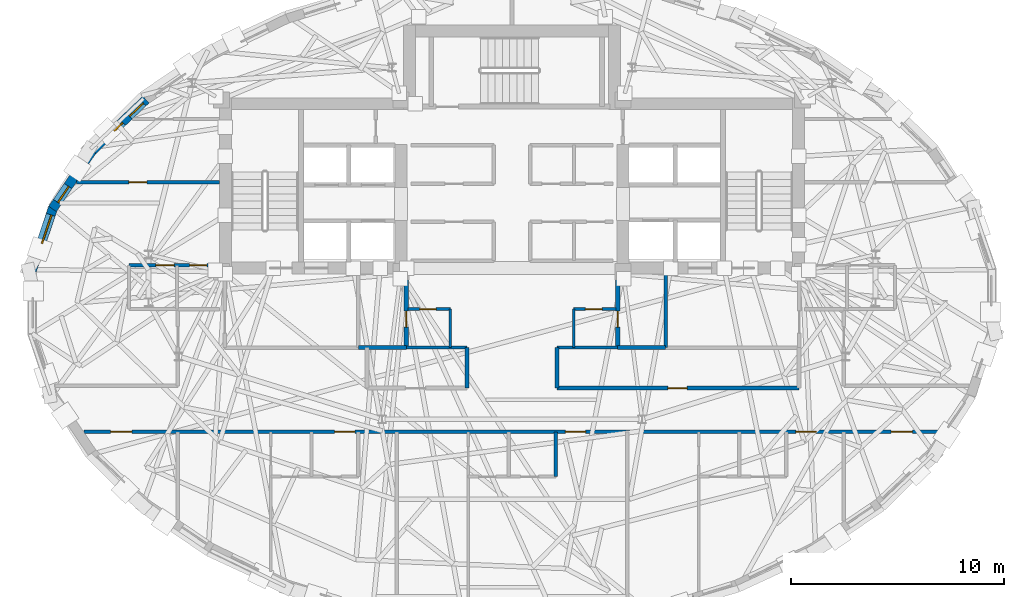
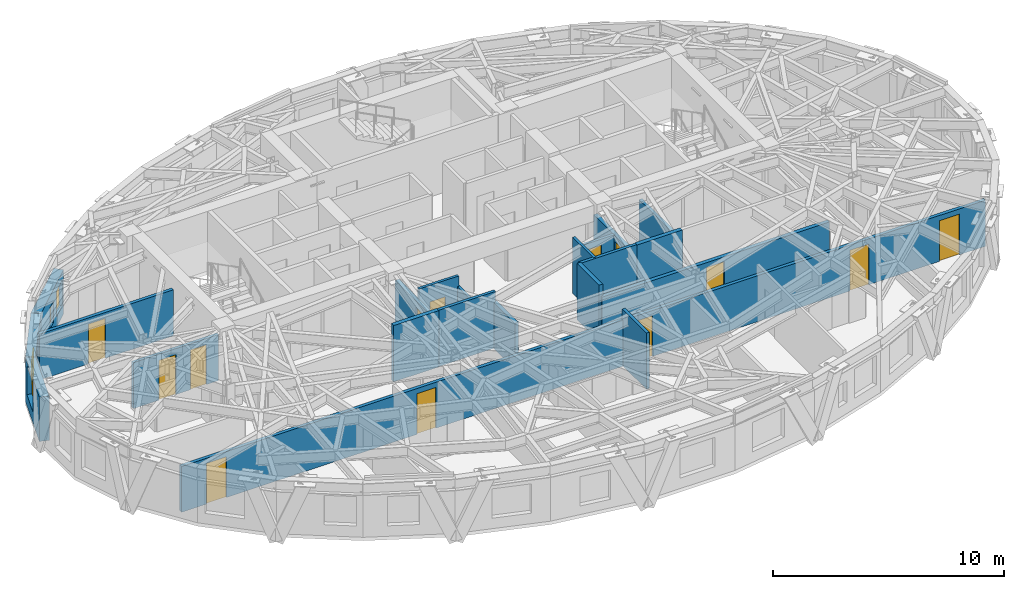
# One storey, part 7 of 14: 21 walls, 13 doors, 4 windows, 17 openings.
"""IFC4 building model written with IfcOpenShell, lengths in metres."""

from ifc_helpers import new_model, si_unit, direction, frame, frame_2d, origin, place, context, subcontext, project, spatial, rectangle, extrude, material, layer, layer_set, type_object, element, fill, save


model = new_model("IFC4")

# Units and contexts
model_context = context("Model", 3, precision=1e-05, world=origin(), true_north=direction((0.0, 1.0)))
body_context = subcontext(model_context, "Body", "Model", "MODEL_VIEW")
ifc_project = project(units=[si_unit("LENGTHUNIT", "METRE"), si_unit("AREAUNIT", "SQUARE_METRE"), si_unit("VOLUMEUNIT", "CUBIC_METRE"), si_unit("PLANEANGLEUNIT", "RADIAN"), si_unit("MASSUNIT", "GRAM", prefix="KILO")], contexts=[model_context])

# Site, building, storey
site_placement = place(None, origin())
site = spatial("IfcSite", under=ifc_project, at=site_placement, CompositionType="ELEMENT")
building_placement = place(site_placement, origin())
building = spatial("IfcBuilding", under=site, at=building_placement, Name="Keldmark Tower", CompositionType="ELEMENT")
storey_placement = place(building_placement, frame((0.0, 0.0, 225.75)))
storey = spatial("IfcBuildingStorey", under=building, at=storey_placement, Name="L63", CompositionType="ELEMENT", Elevation=225.75)

# Wall
ifc_material_1 = material(Name="Heavy Acoustic Plumbing Chase Gypsum Assembly", Category="gypsum")
ifc_layer_1 = layer(ifc_material_1, 0.18994140625)
ifc_layer_set_1 = layer_set([ifc_layer_1], Name="Heavy Acoustic Plumbing Chase Gypsum Assembly")
wall_type_1 = type_object("IfcWallType", Name="Heavy Wet Wall 190 mm", PredefinedType="PLUMBINGWALL", material=ifc_layer_set_1)
wall_1_placement = place(storey_placement, frame((-2.10009765625, -4.050048828125, 0.0), z_axis=(0.0, 0.0, 1.0), x_axis=(0.0, 1.0, 0.0)))
element("IfcWall", 1, at=wall_1_placement, inside=storey, type_object=wall_type_1, Name="L63 Heavy Wet Wall 190 mm SPK-W-E", PredefinedType="PLUMBINGWALL", context=body_context, shape_type="SweptSolid", body=[
    extrude(rectangle(XDim=1.900146484375, YDim=0.18994140625, at=frame_2d((0.9501953125, 0.0))), origin(), (0.0, 0.0, 1.0), 2.423095703125),
])

# Wall, opening, door
wall_2_placement = place(storey_placement, frame((2.10009765625, -4.050048828125, 0.0), z_axis=(0.0, 0.0, 1.0), x_axis=(1.0, 0.0, 0.0)))
wall_2 = element("IfcWall", 2, at=wall_2_placement, inside=storey, type_object=wall_type_1, Name="L63 Heavy Wet Wall 190 mm SPK-E-S", PredefinedType="PLUMBINGWALL", context=body_context, shape_type="SweptSolid", body=[
    extrude(rectangle(XDim=11.349853515625, YDim=0.18994140625, at=frame_2d((5.6748046875, 0.0))), origin(), (0.0, 0.0, 1.0), 2.35693359375),
])
opening_1_placement = place(wall_2_placement, frame((5.199951171875, 0.0, 0.0)))
opening_1 = element("IfcOpeningElement", 3, at=opening_1_placement, cuts=wall_2, Name="Opening D-IN090", PredefinedType="OPENING", context=body_context, shape_type="SweptSolid", body=[
    extrude(rectangle(XDim=0.89990234375, YDim=2.10009765625, at=frame_2d((0.449951171875, 1.050048828125))), frame((0.0, 0.10498046875, 0.0), z_axis=(0.0, -1.0, 0.0), x_axis=(1.0, 0.0, 0.0)), (0.0, 0.0, 1.0), 0.2099609375),
])
ifc_material_2 = material(Name="Stained American White Oak Veneer", Category="wood")
door_type_1 = type_object("IfcDoorType", Name="Interior Door 900x2100", OperationType="NOTDEFINED", PredefinedType="DOOR", material=ifc_material_2)
door_1_placement = place(opening_1_placement, origin())
door_1 = element("IfcDoor", 4, at=door_1_placement, inside=storey, type_object=door_type_1, Name="L63 Interior Door 900x2100 D-SPKE1-L63", OperationType="SINGLE_SWING_RIGHT", OverallHeight=2.10009765625, OverallWidth=0.89990234375, PredefinedType="DOOR", context=body_context, shape_type="SweptSolid", body=[
    extrude(rectangle(XDim=0.89990234375, YDim=2.10009765625, at=frame_2d((0.449951171875, 1.050048828125))), frame((0.0, 0.02490234375, 0.0), z_axis=(0.0, -1.0, 0.0), x_axis=(1.0, 0.0, 0.0)), (0.0, 0.0, 1.0), 0.050048828125),
])
fill(opening_1, door_1)

# Wall
wall_3_placement = place(storey_placement, frame((2.10009765625, -4.050048828125, 0.0), z_axis=(0.0, 0.0, 1.0), x_axis=(0.0, 1.0, 0.0)))
element("IfcWall", 5, at=wall_3_placement, inside=storey, type_object=wall_type_1, Name="L63 Heavy Wet Wall 190 mm SPK-E-W", PredefinedType="PLUMBINGWALL", context=body_context, shape_type="SweptSolid", body=[
    extrude(rectangle(XDim=1.900146484375, YDim=0.18994140625, at=frame_2d((0.9501953125, 0.0))), origin(), (0.0, 0.0, 1.0), 2.969970703125),
])

# Wall, opening, door
ifc_material_3 = material(Name="Acoustic Gypsum Board Interior Partition", Category="gypsum")
ifc_layer_2 = layer(ifc_material_3, 0.1298828125)
ifc_layer_set_2 = layer_set([ifc_layer_2], Name="Acoustic Gypsum Board Interior Partition")
wall_type_2 = type_object("IfcWallType", Name="Interior Partition 130 mm", PredefinedType="PARTITIONING", material=ifc_layer_set_2)
wall_4_placement = place(storey_placement, frame((-4.8798828125, -0.35009765625, 0.0), z_axis=(0.0, 0.0, 1.0), x_axis=(1.0, 0.0, 0.0)))
wall_4 = element("IfcWall", 6, at=wall_4_placement, inside=storey, type_object=wall_type_2, Name="L63 Interior Partition 130 mm CSC-W-N", PredefinedType="PARTITIONING", context=body_context, shape_type="SweptSolid", body=[
    extrude(rectangle(XDim=1.989990234375, YDim=0.1298828125, at=frame_2d((0.9951171875, 0.0))), origin(), (0.0, 0.0, 1.0), 2.969970703125),
])
opening_2_placement = place(wall_4_placement, frame((0.550048828125, 0.0, 0.0)))
opening_2 = element("IfcOpeningElement", 7, at=opening_2_placement, cuts=wall_4, Name="Opening D-CL078", PredefinedType="OPENING", context=body_context, shape_type="SweptSolid", body=[
    extrude(rectangle(XDim=0.780029296875, YDim=2.10009765625, at=frame_2d((0.39013671875, 1.050048828125))), frame((0.0, 0.074951171875, 0.0), z_axis=(0.0, -1.0, 0.0), x_axis=(1.0, 0.0, 0.0)), (0.0, 0.0, 1.0), 0.14990234375),
])
ifc_material_4 = material(Name="Flush Utility Closet Timber Door", Category="wood")
door_type_2 = type_object("IfcDoorType", Name="Closet Door 780x2100", OperationType="NOTDEFINED", PredefinedType="DOOR", material=ifc_material_4)
door_2_placement = place(opening_2_placement, origin())
door_2 = element("IfcDoor", 8, at=door_2_placement, inside=storey, type_object=door_type_2, Name="L63 Closet Door 780x2100 D-CSCW1-L63", OperationType="SINGLE_SWING_LEFT", OverallHeight=2.10009765625, OverallWidth=0.780029296875, PredefinedType="DOOR", context=body_context, shape_type="SweptSolid", body=[
    extrude(rectangle(XDim=0.780029296875, YDim=2.10009765625, at=frame_2d((0.39013671875, 1.050048828125))), frame((0.0, 0.02490234375, 0.0), z_axis=(0.0, -1.0, 0.0), x_axis=(1.0, 0.0, 0.0)), (0.0, 0.0, 1.0), 0.050048828125),
])
fill(opening_2, door_2)

# Wall
wall_5_placement = place(storey_placement, frame((-2.889892578125, -2.14990234375, 0.0), z_axis=(0.0, 0.0, 1.0), x_axis=(0.0, 1.0, 0.0)))
element("IfcWall", 9, at=wall_5_placement, inside=storey, type_object=wall_type_2, Name="L63 Interior Partition 130 mm CSC-W-E", PredefinedType="PARTITIONING", context=body_context, shape_type="SweptSolid", body=[
    extrude(rectangle(XDim=1.7998046875, YDim=0.1298828125, at=frame_2d((0.89990234375, 0.0))), origin(), (0.0, 0.0, 1.0), 2.423095703125),
])

# Wall, opening, door
wall_6_placement = place(storey_placement, frame((2.889892578125, -0.35009765625, 0.0), z_axis=(0.0, 0.0, 1.0), x_axis=(1.0, 0.0, 0.0)))
wall_6 = element("IfcWall", 10, at=wall_6_placement, inside=storey, type_object=wall_type_2, Name="L63 Interior Partition 130 mm CSC-E-N", PredefinedType="PARTITIONING", context=body_context, shape_type="SweptSolid", body=[
    extrude(rectangle(XDim=1.989990234375, YDim=0.1298828125, at=frame_2d((0.9951171875, 0.0))), origin(), (0.0, 0.0, 1.0), 2.423095703125),
])
opening_3_placement = place(wall_6_placement, frame((0.550048828125, 0.0, 0.0)))
opening_3 = element("IfcOpeningElement", 11, at=opening_3_placement, cuts=wall_6, Name="Opening D-CL078", PredefinedType="OPENING", context=body_context, shape_type="SweptSolid", body=[
    extrude(rectangle(XDim=0.780029296875, YDim=2.10009765625, at=frame_2d((0.39013671875, 1.050048828125))), frame((0.0, 0.074951171875, 0.0), z_axis=(0.0, -1.0, 0.0), x_axis=(1.0, 0.0, 0.0)), (0.0, 0.0, 1.0), 0.14990234375),
])
door_3_placement = place(opening_3_placement, origin())
door_3 = element("IfcDoor", 12, at=door_3_placement, inside=storey, type_object=door_type_2, Name="L63 Closet Door 780x2100 D-CSCE1-L63", OperationType="SINGLE_SWING_RIGHT", OverallHeight=2.10009765625, OverallWidth=0.780029296875, PredefinedType="DOOR", context=body_context, shape_type="SweptSolid", body=[
    extrude(rectangle(XDim=0.780029296875, YDim=2.10009765625, at=frame_2d((0.39013671875, 1.050048828125))), frame((0.0, 0.02490234375, 0.0), z_axis=(0.0, -1.0, 0.0), x_axis=(1.0, 0.0, 0.0)), (0.0, 0.0, 1.0), 0.050048828125),
])
fill(opening_3, door_3)

# Walls
wall_7_placement = place(storey_placement, frame((2.889892578125, -2.14990234375, 0.0), z_axis=(0.0, 0.0, 1.0), x_axis=(0.0, 1.0, 0.0)))
element("IfcWall", 13, at=wall_7_placement, inside=storey, type_object=wall_type_2, Name="L63 Interior Partition 130 mm CSC-E-W", PredefinedType="PARTITIONING", context=body_context, shape_type="SweptSolid", body=[
    extrude(rectangle(XDim=1.7998046875, YDim=0.1298828125, at=frame_2d((0.89990234375, 0.0))), origin(), (0.0, 0.0, 1.0), 2.969970703125),
])
ifc_material_5 = material(Name="Type X Fire-Rated Gypsum Partition Assembly", Category="gypsum")
ifc_layer_3 = layer(ifc_material_5, 0.1650390625)
ifc_layer_set_3 = layer_set([ifc_layer_3], Name="Type X Fire-Rated Gypsum Partition Assembly")
wall_type_3 = type_object("IfcWallType", Name="Rated Partition 165 mm", PredefinedType="PARTITIONING", material=ifc_layer_set_3)
wall_8_placement = place(storey_placement, frame((7.199951171875, -2.14990234375, 0.0), z_axis=(0.0, 0.0, 1.0), x_axis=(0.0, 1.0, 0.0)))
element("IfcWall", 14, at=wall_8_placement, inside=storey, type_object=wall_type_3, Name="L63 Rated Partition 165 mm FSAE-E-W", PredefinedType="PARTITIONING", context=body_context, shape_type="SweptSolid", body=[
    extrude(rectangle(XDim=3.5, YDim=0.1650390625, at=frame_2d((1.75, 0.0))), origin(), (0.0, 0.0, 1.0), 2.423095703125),
])

# Wall, openings, doors
wall_9_placement = place(storey_placement, frame((-20.05908203125, -6.10009765625, 0.0), z_axis=(0.0, 0.0, 1.0), x_axis=(1.0, 0.0, 0.0)))
wall_9 = element("IfcWall", 15, at=wall_9_placement, inside=storey, type_object=wall_type_3, Name="L63 Rated Partition 165 mm RCOR-S", PredefinedType="PARTITIONING", context=body_context, shape_type="SweptSolid", body=[
    extrude(rectangle(XDim=40.1181640625, YDim=0.1650390625, at=frame_2d((20.05908203125, 0.0))), origin(), (0.0, 0.0, 1.0), 2.423095703125),
])
opening_4_placement = place(wall_9_placement, frame((1.251708984375, 0.0, 0.0)))
opening_4 = element("IfcOpeningElement", 16, at=opening_4_placement, cuts=wall_9, Name="Opening D-FD100", PredefinedType="OPENING", context=body_context, shape_type="SweptSolid", body=[
    extrude(rectangle(XDim=1.0, YDim=2.14990234375, at=frame_2d((0.5, 1.074951171875))), frame((0.0, 0.092529296875, 0.0), z_axis=(0.0, -1.0, 0.0), x_axis=(1.0, 0.0, 0.0)), (0.0, 0.0, 1.0), 0.18505859375),
])
opening_5_placement = place(wall_9_placement, frame((37.816650390625, 0.0, 0.0)))
opening_5 = element("IfcOpeningElement", 17, at=opening_5_placement, cuts=wall_9, Name="Opening D-FD100", PredefinedType="OPENING", context=body_context, shape_type="SweptSolid", body=[
    extrude(rectangle(XDim=1.0, YDim=2.14990234375, at=frame_2d((0.5, 1.074951171875))), frame((0.0, 0.092529296875, 0.0), z_axis=(0.0, -1.0, 0.0), x_axis=(1.0, 0.0, 0.0)), (0.0, 0.0, 1.0), 0.18505859375),
])
opening_6_placement = place(wall_9_placement, frame((11.74951171875, 0.0, 0.0)))
opening_6 = element("IfcOpeningElement", 18, at=opening_6_placement, cuts=wall_9, Name="Opening D-AP095", PredefinedType="OPENING", context=body_context, shape_type="SweptSolid", body=[
    extrude(rectangle(XDim=0.949951171875, YDim=2.14990234375, at=frame_2d((0.47509765625, 1.074951171875))), frame((0.0, 0.092529296875, 0.0), z_axis=(0.0, -1.0, 0.0), x_axis=(1.0, 0.0, 0.0)), (0.0, 0.0, 1.0), 0.18505859375),
])
opening_7_placement = place(wall_9_placement, frame((22.5595703125, 0.0, 0.0)))
opening_7 = element("IfcOpeningElement", 19, at=opening_7_placement, cuts=wall_9, Name="Opening D-AP095", PredefinedType="OPENING", context=body_context, shape_type="SweptSolid", body=[
    extrude(rectangle(XDim=0.949951171875, YDim=2.14990234375, at=frame_2d((0.47509765625, 1.074951171875))), frame((0.0, 0.092529296875, 0.0), z_axis=(0.0, -1.0, 0.0), x_axis=(1.0, 0.0, 0.0)), (0.0, 0.0, 1.0), 0.18505859375),
])
opening_8_placement = place(wall_9_placement, frame((33.359619140625, 0.0, 0.0)))
opening_8 = element("IfcOpeningElement", 20, at=opening_8_placement, cuts=wall_9, Name="Opening D-AP095", PredefinedType="OPENING", context=body_context, shape_type="SweptSolid", body=[
    extrude(rectangle(XDim=0.949951171875, YDim=2.14990234375, at=frame_2d((0.47509765625, 1.074951171875))), frame((0.0, 0.092529296875, 0.0), z_axis=(0.0, -1.0, 0.0), x_axis=(1.0, 0.0, 0.0)), (0.0, 0.0, 1.0), 0.18505859375),
])
ifc_material_6 = material(Name="Solid-Core Walnut Fire-Rated Entry Assembly", Category="wood")
door_type_3 = type_object("IfcDoorType", Name="Apartment Entry Door 950x2150", OperationType="NOTDEFINED", PredefinedType="DOOR", material=ifc_material_6)
door_4_placement = place(opening_6_placement, origin())
door_4 = element("IfcDoor", 21, at=door_4_placement, inside=storey, type_object=door_type_3, Name="L63 Apartment Entry Door 950x2150 D-UA-ENT-L63", OperationType="SINGLE_SWING_LEFT", OverallHeight=2.14990234375, OverallWidth=0.949951171875, PredefinedType="DOOR", context=body_context, shape_type="SweptSolid", body=[
    extrude(rectangle(XDim=0.949951171875, YDim=2.14990234375, at=frame_2d((0.47509765625, 1.074951171875))), frame((0.0, 0.02490234375, 0.0), z_axis=(0.0, -1.0, 0.0), x_axis=(1.0, 0.0, 0.0)), (0.0, 0.0, 1.0), 0.050048828125),
])
fill(opening_6, door_4)
door_5_placement = place(opening_7_placement, origin())
door_5 = element("IfcDoor", 22, at=door_5_placement, inside=storey, type_object=door_type_3, Name="L63 Apartment Entry Door 950x2150 D-UB-ENT-L63", OperationType="SINGLE_SWING_LEFT", OverallHeight=2.14990234375, OverallWidth=0.949951171875, PredefinedType="DOOR", context=body_context, shape_type="SweptSolid", body=[
    extrude(rectangle(XDim=0.949951171875, YDim=2.14990234375, at=frame_2d((0.47509765625, 1.074951171875))), frame((0.0, 0.02490234375, 0.0), z_axis=(0.0, -1.0, 0.0), x_axis=(1.0, 0.0, 0.0)), (0.0, 0.0, 1.0), 0.050048828125),
])
fill(opening_7, door_5)
door_6_placement = place(opening_8_placement, origin())
door_6 = element("IfcDoor", 23, at=door_6_placement, inside=storey, type_object=door_type_3, Name="L63 Apartment Entry Door 950x2150 D-UC-ENT-L63", OperationType="SINGLE_SWING_LEFT", OverallHeight=2.14990234375, OverallWidth=0.949951171875, PredefinedType="DOOR", context=body_context, shape_type="SweptSolid", body=[
    extrude(rectangle(XDim=0.949951171875, YDim=2.14990234375, at=frame_2d((0.47509765625, 1.074951171875))), frame((0.0, 0.02490234375, 0.0), z_axis=(0.0, -1.0, 0.0), x_axis=(1.0, 0.0, 0.0)), (0.0, 0.0, 1.0), 0.050048828125),
])
fill(opening_8, door_6)
ifc_material_7 = material(Name="Hollow Metal Fire-Rated Corridor Door", Category="metal")
door_type_4 = type_object("IfcDoorType", Name="Fire Door 1000x2150", OperationType="NOTDEFINED", PredefinedType="DOOR", material=ifc_material_7)
door_7_placement = place(opening_4_placement, origin())
door_7 = element("IfcDoor", 24, at=door_7_placement, inside=storey, type_object=door_type_4, Name="L63 Fire Door 1000x2150 D-RSCW-L63", OperationType="SINGLE_SWING_LEFT", OverallHeight=2.14990234375, OverallWidth=1.0, PredefinedType="DOOR", context=body_context, shape_type="SweptSolid", body=[
    extrude(rectangle(XDim=1.0, YDim=2.14990234375, at=frame_2d((0.5, 1.074951171875))), frame((0.0, 0.02490234375, 0.0), z_axis=(0.0, -1.0, 0.0), x_axis=(1.0, 0.0, 0.0)), (0.0, 0.0, 1.0), 0.050048828125),
])
fill(opening_4, door_7)
door_8_placement = place(opening_5_placement, origin())
door_8 = element("IfcDoor", 25, at=door_8_placement, inside=storey, type_object=door_type_4, Name="L63 Fire Door 1000x2150 D-RSCE-L63", OperationType="SINGLE_SWING_RIGHT", OverallHeight=2.14990234375, OverallWidth=1.0, PredefinedType="DOOR", context=body_context, shape_type="SweptSolid", body=[
    extrude(rectangle(XDim=1.0, YDim=2.14990234375, at=frame_2d((0.5, 1.074951171875))), frame((0.0, 0.02490234375, 0.0), z_axis=(0.0, -1.0, 0.0), x_axis=(1.0, 0.0, 0.0)), (0.0, 0.0, 1.0), 0.050048828125),
])
fill(opening_5, door_8)

# Wall, opening, door
wall_10_placement = place(storey_placement, frame((-20.398193359375, 5.60009765625, 0.0), z_axis=(0.0, 0.0, 1.0), x_axis=(1.0, 0.0, 0.0)))
wall_10 = element("IfcWall", 26, at=wall_10_placement, inside=storey, type_object=wall_type_3, Name="L63 Rated Partition 165 mm RW-NDIV", PredefinedType="PARTITIONING", context=body_context, shape_type="SweptSolid", body=[
    extrude(rectangle(XDim=6.6982421875, YDim=0.1650390625, at=frame_2d((3.34912109375, 0.0))), origin(), (0.0, 0.0, 1.0), 2.423095703125),
])
opening_9_placement = place(wall_10_placement, frame((2.446533203125, 0.0, 0.0)))
opening_9 = element("IfcOpeningElement", 27, at=opening_9_placement, cuts=wall_10, Name="Opening D-BR085", PredefinedType="OPENING", context=body_context, shape_type="SweptSolid", body=[
    extrude(rectangle(XDim=0.85009765625, YDim=2.10009765625, at=frame_2d((0.425048828125, 1.050048828125))), frame((0.0, 0.092529296875, 0.0), z_axis=(0.0, -1.0, 0.0), x_axis=(1.0, 0.0, 0.0)), (0.0, 0.0, 1.0), 0.18505859375),
])
ifc_material_8 = material(Name="Solid-Core Stained Walnut Wood", Category="wood")
door_type_5 = type_object("IfcDoorType", Name="Bedroom Door 850x2100", OperationType="NOTDEFINED", PredefinedType="DOOR", material=ifc_material_8)
door_9_placement = place(opening_9_placement, origin())
door_9 = element("IfcDoor", 28, at=door_9_placement, inside=storey, type_object=door_type_5, Name="L63 Bedroom Door 850x2100 D-UD-BR1-L63", OperationType="SINGLE_SWING_LEFT", OverallHeight=2.10009765625, OverallWidth=0.85009765625, PredefinedType="DOOR", context=body_context, shape_type="SweptSolid", body=[
    extrude(rectangle(XDim=0.85009765625, YDim=2.10009765625, at=frame_2d((0.425048828125, 1.050048828125))), frame((0.0, 0.02490234375, 0.0), z_axis=(0.0, -1.0, 0.0), x_axis=(1.0, 0.0, 0.0)), (0.0, 0.0, 1.0), 0.050048828125),
])
fill(opening_9, door_9)

# Wall
ifc_material_9 = material(Name="Fire-Resistant Type X Gypsum Shaftliner Coreboard", Category="gypsum")
ifc_layer_4 = layer(ifc_material_9, 0.199951171875)
ifc_layer_set_4 = layer_set([ifc_layer_4], Name="Fire-Resistant Type X Gypsum Shaftliner Coreboard")
wall_type_4 = type_object("IfcWallType", Name="Shaft Wall 200 mm", PredefinedType="SOLIDWALL", material=ifc_layer_set_4)
wall_11_placement = place(storey_placement, frame((-7.199951171875, -2.14990234375, 0.0), z_axis=(0.0, 0.0, 1.0), x_axis=(1.0, 0.0, 0.0)))
element("IfcWall", 29, at=wall_11_placement, inside=storey, type_object=wall_type_4, Name="L63 Shaft Wall 200 mm RIS-SW-S", PredefinedType="SOLIDWALL", context=body_context, shape_type="SweptSolid", body=[
    extrude(rectangle(XDim=2.25, YDim=0.199951171875, at=frame_2d((1.125, 0.0))), origin(), (0.0, 0.0, 1.0), 2.969970703125),
])

# Wall, opening, door
wall_12_placement = place(storey_placement, frame((-4.949951171875, -2.14990234375, 0.0), z_axis=(0.0, 0.0, 1.0), x_axis=(0.0, 1.0, 0.0)))
wall_12 = element("IfcWall", 30, at=wall_12_placement, inside=storey, type_object=wall_type_4, Name="L63 Shaft Wall 200 mm RIS-SW-E", PredefinedType="SOLIDWALL", context=body_context, shape_type="SweptSolid", body=[
    extrude(rectangle(XDim=3.5, YDim=0.199951171875, at=frame_2d((1.75, 0.0))), origin(), (0.0, 0.0, 1.0), 2.423095703125),
])
opening_10_placement = place(wall_12_placement, frame((0.949951171875, 0.0, 0.0)))
opening_10 = element("IfcOpeningElement", 31, at=opening_10_placement, cuts=wall_12, Name="Opening D-RS075", PredefinedType="OPENING", context=body_context, shape_type="SweptSolid", body=[
    extrude(rectangle(XDim=0.75, YDim=2.10009765625, at=frame_2d((0.375, 1.050048828125))), frame((0.0, 0.10986328125, 0.0), z_axis=(0.0, -1.0, 0.0), x_axis=(1.0, 0.0, 0.0)), (0.0, 0.0, 1.0), 0.219970703125),
])
ifc_material_10 = material(Name="Galvanized Fire-Rated Access Leaf", Category="metal")
door_type_6 = type_object("IfcDoorType", Name="Riser Access Door 750x2100", OperationType="NOTDEFINED", PredefinedType="DOOR", material=ifc_material_10)
door_10_placement = place(opening_10_placement, origin())
door_10 = element("IfcDoor", 32, at=door_10_placement, inside=storey, type_object=door_type_6, Name="L63 Riser Access Door 750x2100 D-RISSW-L63", OperationType="SINGLE_SWING_RIGHT", OverallHeight=2.10009765625, OverallWidth=0.75, PredefinedType="DOOR", context=body_context, shape_type="SweptSolid", body=[
    extrude(rectangle(XDim=0.75, YDim=2.10009765625, at=frame_2d((0.375, 1.050048828125))), frame((0.0, 0.02490234375, 0.0), z_axis=(0.0, -1.0, 0.0), x_axis=(1.0, 0.0, 0.0)), (0.0, 0.0, 1.0), 0.050048828125),
])
fill(opening_10, door_10)

# Wall
wall_13_placement = place(storey_placement, frame((4.949951171875, -2.14990234375, 0.0), z_axis=(0.0, 0.0, 1.0), x_axis=(1.0, 0.0, 0.0)))
element("IfcWall", 33, at=wall_13_placement, inside=storey, type_object=wall_type_4, Name="L63 Shaft Wall 200 mm RIS-SE-S", PredefinedType="SOLIDWALL", context=body_context, shape_type="SweptSolid", body=[
    extrude(rectangle(XDim=2.25, YDim=0.199951171875, at=frame_2d((1.125, 0.0))), origin(), (0.0, 0.0, 1.0), 2.969970703125),
])

# Wall, opening, door
wall_14_placement = place(storey_placement, frame((4.949951171875, -2.14990234375, 0.0), z_axis=(0.0, 0.0, 1.0), x_axis=(0.0, 1.0, 0.0)))
wall_14 = element("IfcWall", 34, at=wall_14_placement, inside=storey, type_object=wall_type_4, Name="L63 Shaft Wall 200 mm RIS-SE-W", PredefinedType="SOLIDWALL", context=body_context, shape_type="SweptSolid", body=[
    extrude(rectangle(XDim=3.5, YDim=0.199951171875, at=frame_2d((1.75, 0.0))), origin(), (0.0, 0.0, 1.0), 2.423095703125),
])
opening_11_placement = place(wall_14_placement, frame((0.949951171875, 0.0, 0.0)))
opening_11 = element("IfcOpeningElement", 35, at=opening_11_placement, cuts=wall_14, Name="Opening D-RS075", PredefinedType="OPENING", context=body_context, shape_type="SweptSolid", body=[
    extrude(rectangle(XDim=0.75, YDim=2.10009765625, at=frame_2d((0.375, 1.050048828125))), frame((0.0, 0.10986328125, 0.0), z_axis=(0.0, -1.0, 0.0), x_axis=(1.0, 0.0, 0.0)), (0.0, 0.0, 1.0), 0.219970703125),
])
door_11_placement = place(opening_11_placement, origin())
door_11 = element("IfcDoor", 36, at=door_11_placement, inside=storey, type_object=door_type_6, Name="L63 Riser Access Door 750x2100 D-RISSE-L63", OperationType="SINGLE_SWING_LEFT", OverallHeight=2.10009765625, OverallWidth=0.75, PredefinedType="DOOR", context=body_context, shape_type="SweptSolid", body=[
    extrude(rectangle(XDim=0.75, YDim=2.10009765625, at=frame_2d((0.375, 1.050048828125))), frame((0.0, 0.02490234375, 0.0), z_axis=(0.0, -1.0, 0.0), x_axis=(1.0, 0.0, 0.0)), (0.0, 0.0, 1.0), 0.050048828125),
])
fill(opening_11, door_11)

# Wall, openings, windows
ifc_material_11 = material(Name="Ironspot Manganese Brick and Kasota Buff Limestone Spandrel Assembly", Category="masonry")
ifc_layer_5 = layer(ifc_material_11, 0.43994140625)
ifc_layer_set_5 = layer_set([ifc_layer_5], Name="Ironspot Manganese Brick and Kasota Buff Limestone Spandrel Assembly")
wall_type_5 = type_object("IfcWallType", Name="Tower Brick Pier and Spandrel Wall 440 mm", PredefinedType="STANDARD", material=ifc_layer_set_5)
wall_15_placement = place(storey_placement, frame((-19.70458984375, 7.038330078125, 0.0), z_axis=(0.0, 0.0, 1.0), x_axis=(0.724503260132, 0.689271373306, 0.0)))
wall_15 = element("IfcWall", 37, at=wall_15_placement, inside=storey, type_object=wall_type_5, Name="L63 Exterior Brick and Spandrel Wall 13", PredefinedType="STANDARD", context=body_context, shape_type="SweptSolid", body=[
    extrude(rectangle(XDim=3.527099609375, YDim=0.43994140625, at=frame_2d((1.763671875, 0.0))), origin(), (0.0, 0.0, 1.0), 2.3359375),
])
opening_12_placement = place(wall_15_placement, frame((2.42724609375, 0.0, 0.580078125)))
opening_12 = element("IfcOpeningElement", 38, at=opening_12_placement, cuts=wall_15, Name="Opening W-09", PredefinedType="OPENING", context=body_context, shape_type="SweptSolid", body=[
    extrude(rectangle(XDim=0.89990234375, YDim=1.35009765625, at=frame_2d((0.449951171875, 0.675048828125))), frame((0.0, 0.22998046875, 0.0), z_axis=(0.0, -1.0, 0.0), x_axis=(1.0, 0.0, 0.0)), (0.0, 0.0, 1.0), 0.4599609375),
])
opening_13_placement = place(wall_15_placement, frame((1.433837890625, 0.0, 0.580078125)))
opening_13 = element("IfcOpeningElement", 39, at=opening_13_placement, cuts=wall_15, Name="Opening W-10", PredefinedType="OPENING", context=body_context, shape_type="SweptSolid", body=[
    extrude(rectangle(XDim=0.56005859375, YDim=1.14990234375, at=frame_2d((0.280029296875, 0.574951171875))), frame((0.0, 0.22998046875, 0.0), z_axis=(0.0, -1.0, 0.0), x_axis=(1.0, 0.0, 0.0)), (0.0, 0.0, 1.0), 0.4599609375),
])
ifc_material_12 = material(Name="Thermally Broken Anodized Aluminum and Triple Low-E Argon Glazing", Category="aluminium")
window_type_1 = type_object("IfcWindowType", Name="Corner Pier Deep-Set Window 900x1350", PartitioningType="SINGLE_PANEL", PredefinedType="WINDOW", material=ifc_material_12)
window_1_placement = place(opening_12_placement, origin())
window_1 = element("IfcWindow", 40, at=window_1_placement, inside=storey, type_object=window_type_1, Name="L63 Deep-Set Window 13", OverallHeight=1.35009765625, OverallWidth=0.89990234375, PartitioningType="SINGLE_PANEL", PredefinedType="WINDOW", context=body_context, shape_type="SweptSolid", body=[
    extrude(rectangle(XDim=0.89990234375, YDim=1.35009765625, at=frame_2d((0.449951171875, 0.675048828125))), frame((0.0, -0.010009765625, 0.0), z_axis=(0.0, -1.0, 0.0), x_axis=(1.0, 0.0, 0.0)), (0.0, 0.0, 1.0), 0.06005859375),
])
fill(opening_12, window_1)
ifc_material_13 = material(Name="Thermally Broken Anodized Aluminum and Triple Low-E Argon Glazing", Category="aluminium")
window_type_2 = type_object("IfcWindowType", Name="Narrow Pier Lancet Window 560x1150", PartitioningType="SINGLE_PANEL", PredefinedType="WINDOW", material=ifc_material_13)
window_2_placement = place(opening_13_placement, origin())
window_2 = element("IfcWindow", 41, at=window_2_placement, inside=storey, type_object=window_type_2, Name="L63 Pier Window RM02", OverallHeight=1.14990234375, OverallWidth=0.56005859375, PartitioningType="SINGLE_PANEL", PredefinedType="WINDOW", context=body_context, shape_type="SweptSolid", body=[
    extrude(rectangle(XDim=0.56005859375, YDim=1.14990234375, at=frame_2d((0.280029296875, 0.574951171875))), frame((0.0, -0.010009765625, 0.0), z_axis=(0.0, -1.0, 0.0), x_axis=(1.0, 0.0, 0.0)), (0.0, 0.0, 1.0), 0.06005859375),
])
fill(opening_13, window_2)

# Wall, opening, window
wall_16_placement = place(storey_placement, frame((-21.5263671875, 4.34228515625, 0.0), z_axis=(0.0, 0.0, 1.0), x_axis=(0.561186647073, 0.827689281764, 0.0)))
wall_16 = element("IfcWall", 42, at=wall_16_placement, inside=storey, type_object=wall_type_5, Name="L63 Exterior Brick and Spandrel Wall 14", PredefinedType="STANDARD", context=body_context, shape_type="SweptSolid", body=[
    extrude(rectangle(XDim=3.30078125, YDim=0.43994140625, at=frame_2d((1.650390625, 0.0))), origin(), (0.0, 0.0, 1.0), 2.3359375),
])
opening_14_placement = place(wall_16_placement, frame((0.395263671875, 0.0, 0.580078125)))
opening_14 = element("IfcOpeningElement", 43, at=opening_14_placement, cuts=wall_16, Name="Opening W-09", PredefinedType="OPENING", context=body_context, shape_type="SweptSolid", body=[
    extrude(rectangle(XDim=0.89990234375, YDim=1.35009765625, at=frame_2d((0.449951171875, 0.675048828125))), frame((0.0, 0.22998046875, 0.0), z_axis=(0.0, -1.0, 0.0), x_axis=(1.0, 0.0, 0.0)), (0.0, 0.0, 1.0), 0.4599609375),
])
window_3_placement = place(opening_14_placement, origin())
window_3 = element("IfcWindow", 44, at=window_3_placement, inside=storey, type_object=window_type_1, Name="L63 Deep-Set Window 14", OverallHeight=1.35009765625, OverallWidth=0.89990234375, PartitioningType="SINGLE_PANEL", PredefinedType="WINDOW", context=body_context, shape_type="SweptSolid", body=[
    extrude(rectangle(XDim=0.89990234375, YDim=1.35009765625, at=frame_2d((0.449951171875, 0.675048828125))), frame((0.0, -0.010009765625, 0.0), z_axis=(0.0, -1.0, 0.0), x_axis=(1.0, 0.0, 0.0)), (0.0, 0.0, 1.0), 0.06005859375),
])
fill(opening_14, window_3)

wall_17_placement = place(storey_placement, frame((-22.5009765625, 1.446044921875, 0.0), z_axis=(0.0, 0.0, 1.0), x_axis=(0.32132647272, 0.946968477791, 0.0)))
wall_17 = element("IfcWall", 45, at=wall_17_placement, inside=storey, type_object=wall_type_5, Name="L63 Exterior Brick and Spandrel Wall 15", PredefinedType="STANDARD", context=body_context, shape_type="SweptSolid", body=[
    extrude(rectangle(XDim=3.1142578125, YDim=0.43994140625, at=frame_2d((1.55712890625, 0.0))), origin(), (0.0, 0.0, 1.0), 2.3359375),
])
opening_15_placement = place(wall_17_placement, frame((1.3681640625, 0.0, 0.580078125)))
opening_15 = element("IfcOpeningElement", 46, at=opening_15_placement, cuts=wall_17, Name="Opening W-08", PredefinedType="OPENING", context=body_context, shape_type="SweptSolid", body=[
    extrude(rectangle(XDim=1.39990234375, YDim=1.550048828125, at=frame_2d((0.699951171875, 0.77490234375))), frame((0.0, 0.22998046875, 0.0), z_axis=(0.0, -1.0, 0.0), x_axis=(1.0, 0.0, 0.0)), (0.0, 0.0, 1.0), 0.4599609375),
])
ifc_material_14 = material(Name="Thermally Broken Anodized Aluminum and Triple Low-E Argon Glazing", Category="aluminium")
window_type_3 = type_object("IfcWindowType", Name="Residential Corner Punched Window 1400x1550", PartitioningType="SINGLE_PANEL", PredefinedType="WINDOW", material=ifc_material_14)
window_4_placement = place(opening_15_placement, origin())
window_4 = element("IfcWindow", 47, at=window_4_placement, inside=storey, type_object=window_type_3, Name="L63 Deep-Set Window 15", OverallHeight=1.550048828125, OverallWidth=1.39990234375, PartitioningType="SINGLE_PANEL", PredefinedType="WINDOW", context=body_context, shape_type="SweptSolid", body=[
    extrude(rectangle(XDim=1.39990234375, YDim=1.550048828125, at=frame_2d((0.699951171875, 0.77490234375))), frame((0.0, -0.010009765625, 0.0), z_axis=(0.0, -1.0, 0.0), x_axis=(1.0, 0.0, 0.0)), (0.0, 0.0, 1.0), 0.06005859375),
])
fill(opening_15, window_4)

# Walls
ifc_material_15 = material(Name="Moisture-Resistant Gypsum Plumbing Partition", Category="gypsum")
ifc_layer_6 = layer(ifc_material_15, 0.14990234375)
ifc_layer_set_6 = layer_set([ifc_layer_6], Name="Moisture-Resistant Gypsum Plumbing Partition")
wall_type_6 = type_object("IfcWallType", Name="Wet Wall 150 mm", PredefinedType="PLUMBINGWALL", material=ifc_layer_set_6)
for number, where, z_axis, x_axis, name in (
    (48, (-4.949951171875, -2.14990234375, 0.0), (0.0, 0.0, 1.0), (1.0, 0.0, 0.0), "L63 Wet Wall 150 mm SPK-W-N"),
    (49, (2.10009765625, -2.14990234375, 0.0), (0.0, 0.0, 1.0), (1.0, 0.0, 0.0), "L63 Wet Wall 150 mm SPK-E-N"),
):
    element("IfcWall", number, at=place(storey_placement, frame(where, z_axis=z_axis, x_axis=x_axis)), inside=storey, type_object=wall_type_6, Name=name, PredefinedType="PLUMBINGWALL", context=body_context, shape_type="SweptSolid", body=[
        extrude(rectangle(XDim=2.849853515625, YDim=0.14990234375, at=frame_2d((1.4248046875, 0.0))), origin(), (0.0, 0.0, 1.0), 2.969970703125),
    ])
wall_18_placement = place(storey_placement, frame((2.050048828125, -8.199951171875, 0.0), z_axis=(0.0, 0.0, 1.0), x_axis=(0.0, 1.0, 0.0)))
element("IfcWall", 50, at=wall_18_placement, inside=storey, type_object=wall_type_6, Name="L63 Wet Wall 150 mm UB-BK-E", PredefinedType="PLUMBINGWALL", context=body_context, shape_type="SweptSolid", body=[
    extrude(rectangle(XDim=2.099853515625, YDim=0.14990234375, at=frame_2d((1.0498046875, 0.0))), origin(), (0.0, 0.0, 1.0), 2.969970703125),
])

# Wall, openings, doors
wall_19_placement = place(storey_placement, frame((-17.949951171875, 1.699951171875, 0.0), z_axis=(0.0, 0.0, 1.0), x_axis=(1.0, 0.0, 0.0)))
wall_19 = element("IfcWall", 51, at=wall_19_placement, inside=storey, type_object=wall_type_6, Name="L63 Wet Wall 150 mm UD-BK-N", PredefinedType="PLUMBINGWALL", context=body_context, shape_type="SweptSolid", body=[
    extrude(rectangle(XDim=4.25, YDim=0.14990234375, at=frame_2d((2.125, 0.0))), origin(), (0.0, 0.0, 1.0), 2.423095703125),
])
opening_16_placement = place(wall_19_placement, frame((2.85009765625, 0.0, 0.0)))
opening_16 = element("IfcOpeningElement", 52, at=opening_16_placement, cuts=wall_19, Name="Opening D-BT080", PredefinedType="OPENING", context=body_context, shape_type="SweptSolid", body=[
    extrude(rectangle(XDim=0.800048828125, YDim=2.10009765625, at=frame_2d((0.39990234375, 1.050048828125))), frame((0.0, 0.0849609375, 0.0), z_axis=(0.0, -1.0, 0.0), x_axis=(1.0, 0.0, 0.0)), (0.0, 0.0, 1.0), 0.169921875),
])
opening_17_placement = place(wall_19_placement, frame((1.27001953125, 0.0, 0.0)))
opening_17 = element("IfcOpeningElement", 53, at=opening_17_placement, cuts=wall_19, Name="Opening D-IN085", PredefinedType="OPENING", context=body_context, shape_type="SweptSolid", body=[
    extrude(rectangle(XDim=0.85009765625, YDim=2.10009765625, at=frame_2d((0.425048828125, 1.050048828125))), frame((0.0, 0.0849609375, 0.0), z_axis=(0.0, -1.0, 0.0), x_axis=(1.0, 0.0, 0.0)), (0.0, 0.0, 1.0), 0.169921875),
])
ifc_material_16 = material(Name="Moisture-Sealed Stained Wood", Category="wood")
door_type_7 = type_object("IfcDoorType", Name="Bathroom Door 800x2100", OperationType="NOTDEFINED", PredefinedType="DOOR", material=ifc_material_16)
door_12_placement = place(opening_16_placement, origin())
door_12 = element("IfcDoor", 54, at=door_12_placement, inside=storey, type_object=door_type_7, Name="L63 Bathroom Door 800x2100 D-UD-BATH-L63", OperationType="SINGLE_SWING_LEFT", OverallHeight=2.10009765625, OverallWidth=0.800048828125, PredefinedType="DOOR", context=body_context, shape_type="SweptSolid", body=[
    extrude(rectangle(XDim=0.800048828125, YDim=2.10009765625, at=frame_2d((0.39990234375, 1.050048828125))), frame((0.0, 0.02490234375, 0.0), z_axis=(0.0, -1.0, 0.0), x_axis=(1.0, 0.0, 0.0)), (0.0, 0.0, 1.0), 0.050048828125),
])
fill(opening_16, door_12)
ifc_material_17 = material(Name="Painted Architectural Wood", Category="wood")
door_type_8 = type_object("IfcDoorType", Name="Interior Door 850x2100", OperationType="NOTDEFINED", PredefinedType="DOOR", material=ifc_material_17)
door_13_placement = place(opening_17_placement, origin())
door_13 = element("IfcDoor", 55, at=door_13_placement, inside=storey, type_object=door_type_8, Name="L63 Interior Door 850x2100 D-UD-KIT-L63", OperationType="SINGLE_SWING_RIGHT", OverallHeight=2.10009765625, OverallWidth=0.85009765625, PredefinedType="DOOR", context=body_context, shape_type="SweptSolid", body=[
    extrude(rectangle(XDim=0.85009765625, YDim=2.10009765625, at=frame_2d((0.425048828125, 1.050048828125))), frame((0.0, 0.02490234375, 0.0), z_axis=(0.0, -1.0, 0.0), x_axis=(1.0, 0.0, 0.0)), (0.0, 0.0, 1.0), 0.050048828125),
])
fill(opening_17, door_13)

save(model, "model.ifc")
